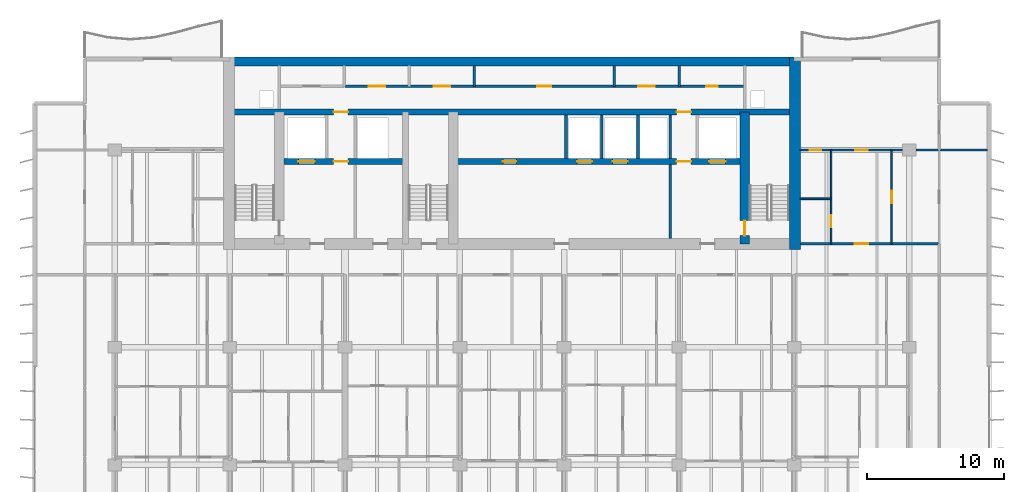
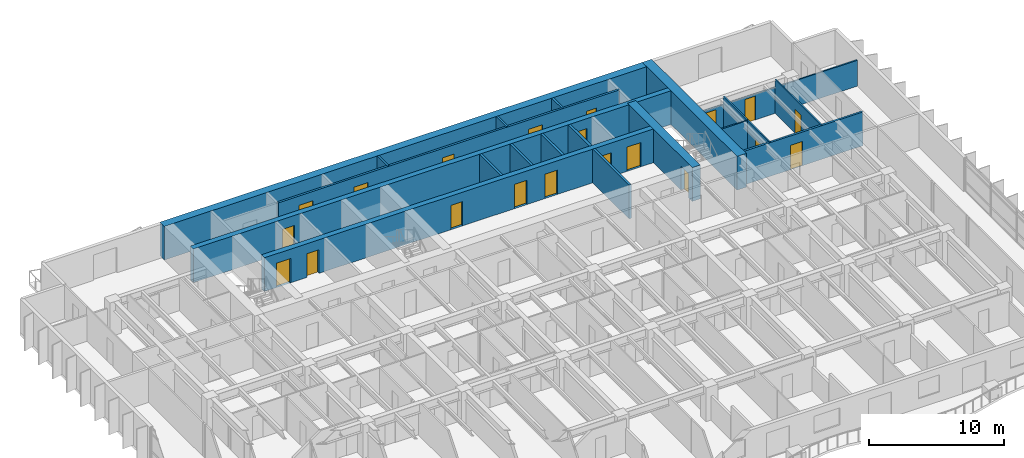
# One storey, part 12 of 18: 20 doors, 19 walls, 20 openings.
"""IFC4 building model written with IfcOpenShell, lengths in metres."""

from ifc_helpers import new_model, si_unit, direction, frame, frame_2d, origin, place, context, subcontext, project, spatial, rectangle, extrude, material, layer, layer_set, type_object, element, fill, save


model = new_model("IFC4")

# Units and contexts
model_context = context("Model", 3, precision=1e-05, world=origin(), true_north=direction((0.0, 1.0)))
body_context = subcontext(model_context, "Body", "Model", "MODEL_VIEW")
ifc_project = project(units=[si_unit("LENGTHUNIT", "METRE"), si_unit("AREAUNIT", "SQUARE_METRE"), si_unit("VOLUMEUNIT", "CUBIC_METRE"), si_unit("PLANEANGLEUNIT", "RADIAN"), si_unit("MASSUNIT", "GRAM", prefix="KILO")], contexts=[model_context])

# Site, building, storey
site_placement = place(None, origin())
site = spatial("IfcSite", under=ifc_project, at=site_placement, CompositionType="ELEMENT")
building_placement = place(site_placement, origin())
building = spatial("IfcBuilding", under=site, at=building_placement, Name="Caelmar Bay Residences", CompositionType="ELEMENT")
storey_placement = place(building_placement, frame((0.0, 0.0, 125.699951171875)))
storey = spatial("IfcBuildingStorey", under=building, at=storey_placement, Name="L34", CompositionType="ELEMENT", Elevation=125.699951171875)

# Wall, opening, door
ifc_material_1 = material(Name="Concrete f'c 55 MPa (8,000 psi)", Category="concrete")
ifc_layer_1 = layer(ifc_material_1, 0.699951171875)
ifc_layer_set_1 = layer_set([ifc_layer_1], Name="Concrete f'c 55 MPa (8,000 psi)")
wall_type_1 = type_object("IfcWallType", Name="SW-COR-700", PredefinedType="SHEAR", material=ifc_layer_set_1)
wall_1_placement = place(storey_placement, frame((55.89990234375, 36.949951171875, 0.0), z_axis=(0.0, 0.0, 1.0), x_axis=(0.0, 1.0, 0.0)))
wall_1 = element("IfcWall", 1, at=wall_1_placement, inside=storey, type_object=wall_type_1, Name="L34 Core Structural Web Wall ST2W", PredefinedType="SHEAR", context=body_context, shape_type="SweptSolid", body=[
    extrude(rectangle(XDim=9.625, YDim=0.699951171875, at=frame_2d((4.8125, 0.0))), origin(), (0.0, 0.0, 1.0), 3.050048828125),
])
opening_1_placement = place(wall_1_placement, frame((0.60009765625, 0.0, 0.0)))
opening_1 = element("IfcOpeningElement", 2, at=opening_1_placement, cuts=wall_1, Name="Opening D-L34-110", PredefinedType="OPENING", context=body_context, shape_type="SweptSolid", body=[
    extrude(rectangle(XDim=1.10009765625, YDim=2.14990234375, at=frame_2d((0.550048828125, 1.074951171875))), frame((0.0, 0.35986328125, 0.0), z_axis=(0.0, -1.0, 0.0), x_axis=(1.0, 0.0, 0.0)), (0.0, 0.0, 1.0), 0.719970703125),
])
ifc_material_2 = material(Name="Fire-rated steel and walnut architectural door assembly", Category="steel")
ifc_layer_2 = layer(ifc_material_2, 0.050048828125)
ifc_layer_set_2 = layer_set([ifc_layer_2], Name="Fire-rated steel and walnut architectural door assembly")
door_type_1 = type_object("IfcDoorType", Name="D-STAIR-1100", OperationType="NOTDEFINED", PredefinedType="DOOR", material=ifc_layer_set_2)
door_1_placement = place(opening_1_placement, origin())
door_1 = element("IfcDoor", 3, at=door_1_placement, inside=storey, type_object=door_type_1, Name="L34 Firefighting Lobby East Door", OperationType="SINGLE_SWING_LEFT", OverallHeight=2.14990234375, OverallWidth=1.10009765625, PredefinedType="DOOR", context=body_context, shape_type="SweptSolid", body=[
    extrude(rectangle(XDim=1.10009765625, YDim=2.14990234375, at=frame_2d((0.550048828125, 1.074951171875))), frame((0.0, 0.02490234375, 0.0), z_axis=(0.0, -1.0, 0.0), x_axis=(1.0, 0.0, 0.0)), (0.0, 0.0, 1.0), 0.050048828125),
])
fill(opening_1, door_1)

# Walls
ifc_material_3 = material(Name="Concrete f'c 70 MPa (10,000 psi)", Category="concrete")
ifc_layer_3 = layer(ifc_material_3, 0.800048828125)
ifc_layer_set_3 = layer_set([ifc_layer_3], Name="Concrete f'c 70 MPa (10,000 psi)")
wall_type_2 = type_object("IfcWallType", Name="SW-COR-800", PredefinedType="SHEAR", material=ifc_layer_set_3)
wall_2_placement = place(storey_placement, frame((59.550048828125, 36.550048828125, 0.0), z_axis=(0.0, 0.0, 1.0), x_axis=(0.0, 1.0, 0.0)))
element("IfcWall", 4, at=wall_2_placement, inside=storey, type_object=wall_type_2, Name="L34 Rear Core East Shear Wall", PredefinedType="SHEAR", context=body_context, shape_type="SweptSolid", body=[
    extrude(rectangle(XDim=14.050048828125, YDim=0.800048828125, at=frame_2d((7.02490234375, 0.0))), origin(), (0.0, 0.0, 1.0), 3.050048828125),
])
ifc_layer_4 = layer(ifc_material_1, 0.64990234375)
ifc_layer_set_4 = layer_set([ifc_layer_4], Name="Concrete f'c 55 MPa (8,000 psi)")
wall_type_3 = type_object("IfcWallType", Name="SW-CORN-650", PredefinedType="SHEAR", material=ifc_layer_set_4)
wall_3_placement = place(storey_placement, frame((17.85009765625, 50.27490234375, 0.0), z_axis=(0.0, 0.0, 1.0), x_axis=(1.0, 0.0, 0.0)))
element("IfcWall", 5, at=wall_3_placement, inside=storey, type_object=wall_type_3, Name="L34 Rear Core North Shear Wall", PredefinedType="SHEAR", context=body_context, shape_type="SweptSolid", body=[
    extrude(rectangle(XDim=42.099853515625, YDim=0.64990234375, at=frame_2d((21.0498046875, 0.0))), origin(), (0.0, 0.0, 1.0), 3.050048828125),
])

# Wall, openings, doors
ifc_layer_5 = layer(ifc_material_3, 0.449951171875)
ifc_layer_set_5 = layer_set([ifc_layer_5], Name="Concrete f'c 70 MPa (10,000 psi)")
wall_type_4 = type_object("IfcWallType", Name="SW-WEB-450", PredefinedType="SHEAR", material=ifc_layer_set_5)
wall_4_placement = place(storey_placement, frame((22.25, 42.949951171875, 0.0), z_axis=(0.0, 0.0, 1.0), x_axis=(1.0, 0.0, 0.0)))
wall_4 = element("IfcWall", 6, at=wall_4_placement, inside=storey, type_object=wall_type_4, Name="L34 Core Structural Web Wall LFR", PredefinedType="SHEAR", context=body_context, shape_type="SweptSolid", body=[
    extrude(rectangle(XDim=33.300048828125, YDim=0.449951171875, at=frame_2d((16.64990234375, 0.0))), origin(), (0.0, 0.0, 1.0), 3.050048828125),
])
opening_2_placement = place(wall_4_placement, frame((1.050048828125, 0.0, 0.0)))
opening_2 = element("IfcOpeningElement", 7, at=opening_2_placement, cuts=wall_4, Name="Opening LD2", PredefinedType="OPENING", context=body_context, shape_type="SweptSolid", body=[
    extrude(rectangle(XDim=1.199951171875, YDim=2.199951171875, at=frame_2d((0.60009765625, 1.10009765625))), frame((0.0, 0.23486328125, 0.0), z_axis=(0.0, -1.0, 0.0), x_axis=(1.0, 0.0, 0.0)), (0.0, 0.0, 1.0), 0.469970703125),
])
opening_3_placement = place(wall_4_placement, frame((31.050048828125, 0.0, 0.0)))
opening_3 = element("IfcOpeningElement", 8, at=opening_3_placement, cuts=wall_4, Name="Opening LD2", PredefinedType="OPENING", context=body_context, shape_type="SweptSolid", body=[
    extrude(rectangle(XDim=1.199951171875, YDim=2.199951171875, at=frame_2d((0.60009765625, 1.10009765625))), frame((0.0, 0.23486328125, 0.0), z_axis=(0.0, -1.0, 0.0), x_axis=(1.0, 0.0, 0.0)), (0.0, 0.0, 1.0), 0.469970703125),
])
opening_4_placement = place(wall_4_placement, frame((21.39990234375, 0.0, 0.0)))
opening_4 = element("IfcOpeningElement", 9, at=opening_4_placement, cuts=wall_4, Name="Opening LD1", PredefinedType="OPENING", context=body_context, shape_type="SweptSolid", body=[
    extrude(rectangle(XDim=1.10009765625, YDim=2.199951171875, at=frame_2d((0.550048828125, 1.10009765625))), frame((0.0, 0.23486328125, 0.0), z_axis=(0.0, -1.0, 0.0), x_axis=(1.0, 0.0, 0.0)), (0.0, 0.0, 1.0), 0.469970703125),
])
opening_5_placement = place(wall_4_placement, frame((24.0, 0.0, 0.0)))
opening_5 = element("IfcOpeningElement", 10, at=opening_5_placement, cuts=wall_4, Name="Opening LD1", PredefinedType="OPENING", context=body_context, shape_type="SweptSolid", body=[
    extrude(rectangle(XDim=1.10009765625, YDim=2.199951171875, at=frame_2d((0.550048828125, 1.10009765625))), frame((0.0, 0.23486328125, 0.0), z_axis=(0.0, -1.0, 0.0), x_axis=(1.0, 0.0, 0.0)), (0.0, 0.0, 1.0), 0.469970703125),
])
opening_6_placement = place(wall_4_placement, frame((3.625, 0.0, 0.0)))
opening_6 = element("IfcOpeningElement", 11, at=opening_6_placement, cuts=wall_4, Name="Opening D-L34-108", PredefinedType="OPENING", context=body_context, shape_type="SweptSolid", body=[
    extrude(rectangle(XDim=1.050048828125, YDim=2.14990234375, at=frame_2d((0.52490234375, 1.074951171875))), frame((0.0, 0.23486328125, 0.0), z_axis=(0.0, -1.0, 0.0), x_axis=(1.0, 0.0, 0.0)), (0.0, 0.0, 1.0), 0.469970703125),
])
opening_7_placement = place(wall_4_placement, frame((28.675048828125, 0.0, 0.0)))
opening_7 = element("IfcOpeningElement", 12, at=opening_7_placement, cuts=wall_4, Name="Opening D-L34-111", PredefinedType="OPENING", context=body_context, shape_type="SweptSolid", body=[
    extrude(rectangle(XDim=1.050048828125, YDim=2.14990234375, at=frame_2d((0.52490234375, 1.074951171875))), frame((0.0, 0.23486328125, 0.0), z_axis=(0.0, -1.0, 0.0), x_axis=(1.0, 0.0, 0.0)), (0.0, 0.0, 1.0), 0.469970703125),
])
opening_8_placement = place(wall_4_placement, frame((15.97509765625, 0.0, 0.0)))
opening_8 = element("IfcOpeningElement", 13, at=opening_8_placement, cuts=wall_4, Name="Opening D-L34-114", PredefinedType="OPENING", context=body_context, shape_type="SweptSolid", body=[
    extrude(rectangle(XDim=1.0, YDim=2.199951171875, at=frame_2d((0.5, 1.10009765625))), frame((0.0, 0.23486328125, 0.0), z_axis=(0.0, -1.0, 0.0), x_axis=(1.0, 0.0, 0.0)), (0.0, 0.0, 1.0), 0.469970703125),
])
ifc_layer_6 = layer(ifc_material_2, 0.050048828125)
ifc_layer_set_6 = layer_set([ifc_layer_6], Name="Fire-rated steel and walnut architectural door assembly")
door_type_2 = type_object("IfcDoorType", Name="D-FSAE-1050", OperationType="NOTDEFINED", PredefinedType="DOOR", material=ifc_layer_set_6)
door_2_placement = place(opening_6_placement, origin())
door_2 = element("IfcDoor", 14, at=door_2_placement, inside=storey, type_object=door_type_2, Name="L34 Firefighting Lobby West Door", OperationType="SINGLE_SWING_LEFT", OverallHeight=2.14990234375, OverallWidth=1.050048828125, PredefinedType="DOOR", context=body_context, shape_type="SweptSolid", body=[
    extrude(rectangle(XDim=1.050048828125, YDim=2.14990234375, at=frame_2d((0.52490234375, 1.074951171875))), frame((0.0, 0.02490234375, 0.0), z_axis=(0.0, -1.0, 0.0), x_axis=(1.0, 0.0, 0.0)), (0.0, 0.0, 1.0), 0.050048828125),
])
fill(opening_6, door_2)
door_3_placement = place(opening_7_placement, origin())
door_3 = element("IfcDoor", 15, at=door_3_placement, inside=storey, type_object=door_type_2, Name="L34 Firefighting Lobby East Door", OperationType="SINGLE_SWING_RIGHT", OverallHeight=2.14990234375, OverallWidth=1.050048828125, PredefinedType="DOOR", context=body_context, shape_type="SweptSolid", body=[
    extrude(rectangle(XDim=1.050048828125, YDim=2.14990234375, at=frame_2d((0.52490234375, 1.074951171875))), frame((0.0, 0.02490234375, 0.0), z_axis=(0.0, -1.0, 0.0), x_axis=(1.0, 0.0, 0.0)), (0.0, 0.0, 1.0), 0.050048828125),
])
fill(opening_7, door_3)
ifc_material_4 = material(Name="Brushed bronze stainless-steel fire-rated lift landing doors", Category="steel")
ifc_layer_7 = layer(ifc_material_4, 0.050048828125)
ifc_layer_set_7 = layer_set([ifc_layer_7], Name="Brushed bronze stainless-steel fire-rated lift landing doors")
door_type_3 = type_object("IfcDoorType", Name="D-LND-1100", OperationType="DOUBLE_DOOR_SLIDING", PredefinedType="DOOR", material=ifc_layer_set_7)
door_4_placement = place(opening_4_placement, origin())
door_4 = element("IfcDoor", 16, at=door_4_placement, inside=storey, type_object=door_type_3, Name="L34 LP4 Sliding Landing Door", OperationType="DOUBLE_DOOR_SLIDING", OverallHeight=2.199951171875, OverallWidth=1.10009765625, PredefinedType="DOOR", context=body_context, shape_type="SweptSolid", body=[
    extrude(rectangle(XDim=1.10009765625, YDim=2.199951171875, at=frame_2d((0.550048828125, 1.10009765625))), frame((0.0, 0.02490234375, 0.0), z_axis=(0.0, -1.0, 0.0), x_axis=(1.0, 0.0, 0.0)), (0.0, 0.0, 1.0), 0.050048828125),
])
fill(opening_4, door_4)
door_5_placement = place(opening_5_placement, origin())
door_5 = element("IfcDoor", 17, at=door_5_placement, inside=storey, type_object=door_type_3, Name="L34 LP5 Sliding Landing Door", OperationType="DOUBLE_DOOR_SLIDING", OverallHeight=2.199951171875, OverallWidth=1.10009765625, PredefinedType="DOOR", context=body_context, shape_type="SweptSolid", body=[
    extrude(rectangle(XDim=1.10009765625, YDim=2.199951171875, at=frame_2d((0.550048828125, 1.10009765625))), frame((0.0, 0.02490234375, 0.0), z_axis=(0.0, -1.0, 0.0), x_axis=(1.0, 0.0, 0.0)), (0.0, 0.0, 1.0), 0.050048828125),
])
fill(opening_5, door_5)
ifc_material_5 = material(Name="Brushed stainless-steel FSAE sliding landing door", Category="steel")
ifc_layer_8 = layer(ifc_material_5, 0.050048828125)
ifc_layer_set_8 = layer_set([ifc_layer_8], Name="Brushed stainless-steel FSAE sliding landing door")
door_type_4 = type_object("IfcDoorType", Name="D-LND-1200", OperationType="DOUBLE_DOOR_SLIDING", PredefinedType="DOOR", material=ifc_layer_set_8)
door_6_placement = place(opening_2_placement, origin())
door_6 = element("IfcDoor", 18, at=door_6_placement, inside=storey, type_object=door_type_4, Name="L34 LF1 Sliding Landing Door", OperationType="DOUBLE_DOOR_SLIDING", OverallHeight=2.199951171875, OverallWidth=1.199951171875, PredefinedType="DOOR", context=body_context, shape_type="SweptSolid", body=[
    extrude(rectangle(XDim=1.199951171875, YDim=2.199951171875, at=frame_2d((0.60009765625, 1.10009765625))), frame((0.0, 0.02490234375, 0.0), z_axis=(0.0, -1.0, 0.0), x_axis=(1.0, 0.0, 0.0)), (0.0, 0.0, 1.0), 0.050048828125),
])
fill(opening_2, door_6)
door_7_placement = place(opening_3_placement, origin())
door_7 = element("IfcDoor", 19, at=door_7_placement, inside=storey, type_object=door_type_4, Name="L34 LF2 Sliding Landing Door", OperationType="DOUBLE_DOOR_SLIDING", OverallHeight=2.199951171875, OverallWidth=1.199951171875, PredefinedType="DOOR", context=body_context, shape_type="SweptSolid", body=[
    extrude(rectangle(XDim=1.199951171875, YDim=2.199951171875, at=frame_2d((0.60009765625, 1.10009765625))), frame((0.0, 0.02490234375, 0.0), z_axis=(0.0, -1.0, 0.0), x_axis=(1.0, 0.0, 0.0)), (0.0, 0.0, 1.0), 0.050048828125),
])
fill(opening_3, door_7)
ifc_layer_9 = layer(ifc_material_2, 0.050048828125)
ifc_layer_set_9 = layer_set([ifc_layer_9], Name="Fire-rated steel and walnut architectural door assembly")
door_type_5 = type_object("IfcDoorType", Name="D-UNIT-1000", OperationType="NOTDEFINED", PredefinedType="DOOR", material=ifc_layer_set_9)
door_8_placement = place(opening_8_placement, origin())
door_8 = element("IfcDoor", 20, at=door_8_placement, inside=storey, type_object=door_type_5, Name="L34 Quiet Reading Study Door", OperationType="SINGLE_SWING_LEFT", OverallHeight=2.199951171875, OverallWidth=1.0, PredefinedType="DOOR", context=body_context, shape_type="SweptSolid", body=[
    extrude(rectangle(XDim=1.0, YDim=2.199951171875, at=frame_2d((0.5, 1.10009765625))), frame((0.0, 0.02490234375, 0.0), z_axis=(0.0, -1.0, 0.0), x_axis=(1.0, 0.0, 0.0)), (0.0, 0.0, 1.0), 0.050048828125),
])
fill(opening_8, door_8)

wall_5_placement = place(storey_placement, frame((18.25, 46.574951171875, 0.0), z_axis=(0.0, 0.0, 1.0), x_axis=(1.0, 0.0, 0.0)))
wall_5 = element("IfcWall", 21, at=wall_5_placement, inside=storey, type_object=wall_type_4, Name="L34 Core Structural Web Wall SRVS", PredefinedType="SHEAR", context=body_context, shape_type="SweptSolid", body=[
    extrude(rectangle(XDim=41.300048828125, YDim=0.449951171875, at=frame_2d((20.64990234375, 0.0))), origin(), (0.0, 0.0, 1.0), 3.050048828125),
])
opening_9_placement = place(wall_5_placement, frame((7.625, 0.0, 0.0)))
opening_9 = element("IfcOpeningElement", 22, at=opening_9_placement, cuts=wall_5, Name="Opening D-L34-115", PredefinedType="OPENING", context=body_context, shape_type="SweptSolid", body=[
    extrude(rectangle(XDim=1.050048828125, YDim=2.14990234375, at=frame_2d((0.52490234375, 1.074951171875))), frame((0.0, 0.23486328125, 0.0), z_axis=(0.0, -1.0, 0.0), x_axis=(1.0, 0.0, 0.0)), (0.0, 0.0, 1.0), 0.469970703125),
])
opening_10_placement = place(wall_5_placement, frame((32.675048828125, 0.0, 0.0)))
opening_10 = element("IfcOpeningElement", 23, at=opening_10_placement, cuts=wall_5, Name="Opening D-L34-116", PredefinedType="OPENING", context=body_context, shape_type="SweptSolid", body=[
    extrude(rectangle(XDim=1.050048828125, YDim=2.14990234375, at=frame_2d((0.52490234375, 1.074951171875))), frame((0.0, 0.23486328125, 0.0), z_axis=(0.0, -1.0, 0.0), x_axis=(1.0, 0.0, 0.0)), (0.0, 0.0, 1.0), 0.469970703125),
])
door_9_placement = place(opening_9_placement, origin())
door_9 = element("IfcDoor", 24, at=door_9_placement, inside=storey, type_object=door_type_2, Name="L34 Core Service Corridor Door", OperationType="SINGLE_SWING_RIGHT", OverallHeight=2.14990234375, OverallWidth=1.050048828125, PredefinedType="DOOR", context=body_context, shape_type="SweptSolid", body=[
    extrude(rectangle(XDim=1.050048828125, YDim=2.14990234375, at=frame_2d((0.52490234375, 1.074951171875))), frame((0.0, 0.02490234375, 0.0), z_axis=(0.0, -1.0, 0.0), x_axis=(1.0, 0.0, 0.0)), (0.0, 0.0, 1.0), 0.050048828125),
])
fill(opening_9, door_9)
door_10_placement = place(opening_10_placement, origin())
door_10 = element("IfcDoor", 25, at=door_10_placement, inside=storey, type_object=door_type_2, Name="L34 Core Service Corridor Door", OperationType="SINGLE_SWING_LEFT", OverallHeight=2.14990234375, OverallWidth=1.050048828125, PredefinedType="DOOR", context=body_context, shape_type="SweptSolid", body=[
    extrude(rectangle(XDim=1.050048828125, YDim=2.14990234375, at=frame_2d((0.52490234375, 1.074951171875))), frame((0.0, 0.02490234375, 0.0), z_axis=(0.0, -1.0, 0.0), x_axis=(1.0, 0.0, 0.0)), (0.0, 0.0, 1.0), 0.050048828125),
])
fill(opening_10, door_10)

# Walls
ifc_material_6 = material(Name="Double-stud acoustic fire-rated gypsum partition 180 mm")
ifc_layer_10 = layer(ifc_material_6, 0.179931640625)
ifc_layer_set_10 = layer_set([ifc_layer_10], Name="Double-stud acoustic fire-rated gypsum partition 180 mm")
wall_type_5 = type_object("IfcWallType", Name="W-COR-200", PredefinedType="PARTITIONING", material=ifc_layer_set_10)
for number, where, z_axis, x_axis, name in (
    (26, (36.14990234375, 48.449951171875, 0.0), (0.0, 0.0, 1.0), (0.0, 1.0, 0.0), "L34 Partition Wall V056"),
    (27, (46.35009765625, 48.449951171875, 0.0), (0.0, 0.0, 1.0), (0.0, 1.0, 0.0), "L34 Partition Wall V071"),
    (28, (51.10009765625, 48.449951171875, 0.0), (0.0, 0.0, 1.0), (0.0, 1.0, 0.0), "L34 Partition Wall V084"),
):
    element("IfcWall", number, at=place(storey_placement, frame(where, z_axis=z_axis, x_axis=x_axis)), inside=storey, type_object=wall_type_5, Name=name, PredefinedType="PARTITIONING", context=body_context, shape_type="SweptSolid", body=[
        extrude(rectangle(XDim=1.505126953125, YDim=0.179931640625, at=frame_2d((0.75244140625, 0.0))), origin(), (0.0, 0.0, 1.0), 3.050048828125),
    ])

# Wall, opening, door
wall_6_placement = place(storey_placement, frame((59.955078125, 36.949951171875, 0.0), z_axis=(0.0, 0.0, 1.0), x_axis=(1.0, 0.0, 0.0)))
wall_6 = element("IfcWall", 29, at=wall_6_placement, inside=storey, type_object=wall_type_5, Name="L34 Partition Wall H148", PredefinedType="PARTITIONING", context=body_context, shape_type="SweptSolid", body=[
    extrude(rectangle(XDim=10.14501953125, YDim=0.179931640625, at=frame_2d((5.072509765625, 0.0))), origin(), (0.0, 0.0, 1.0), 3.050048828125),
])
opening_11_placement = place(wall_6_placement, frame((3.95703125, 0.0, 0.0)))
opening_11 = element("IfcOpeningElement", 30, at=opening_11_placement, cuts=wall_6, Name="Opening D-L34-183", PredefinedType="OPENING", context=body_context, shape_type="SweptSolid", body=[
    extrude(rectangle(XDim=1.0, YDim=2.199951171875, at=frame_2d((0.5, 1.10009765625))), frame((0.0, 0.099853515625, 0.0), z_axis=(0.0, -1.0, 0.0), x_axis=(1.0, 0.0, 0.0)), (0.0, 0.0, 1.0), 0.199951171875),
])
door_11_placement = place(opening_11_placement, origin())
door_11 = element("IfcDoor", 31, at=door_11_placement, inside=storey, type_object=door_type_5, Name="L34 Residence EA Kitchen Door", OperationType="SINGLE_SWING_RIGHT", OverallHeight=2.199951171875, OverallWidth=1.0, PredefinedType="DOOR", context=body_context, shape_type="SweptSolid", body=[
    extrude(rectangle(XDim=1.0, YDim=2.199951171875, at=frame_2d((0.5, 1.10009765625))), frame((0.0, 0.02490234375, 0.0), z_axis=(0.0, -1.0, 0.0), x_axis=(1.0, 0.0, 0.0)), (0.0, 0.0, 1.0), 0.050048828125),
])
fill(opening_11, door_11)

# Wall, openings, doors
wall_7_placement = place(storey_placement, frame((26.699951171875, 48.449951171875, 0.0), z_axis=(0.0, 0.0, 1.0), x_axis=(1.0, 0.0, 0.0)))
wall_7 = element("IfcWall", 32, at=wall_7_placement, inside=storey, type_object=wall_type_5, Name="L34 Partition Wall H154", PredefinedType="PARTITIONING", context=body_context, shape_type="SweptSolid", body=[
    extrude(rectangle(XDim=29.199951171875, YDim=0.179931640625, at=frame_2d((14.60009765625, 0.0))), origin(), (0.0, 0.0, 1.0), 3.050048828125),
])
opening_12_placement = place(wall_7_placement, frame((1.75, 0.0, 0.0)))
opening_12 = element("IfcOpeningElement", 33, at=opening_12_placement, cuts=wall_7, Name="Opening D-L34-118", PredefinedType="OPENING", context=body_context, shape_type="SweptSolid", body=[
    extrude(rectangle(XDim=1.199951171875, YDim=2.199951171875, at=frame_2d((0.60009765625, 1.10009765625))), frame((0.0, 0.099853515625, 0.0), z_axis=(0.0, -1.0, 0.0), x_axis=(1.0, 0.0, 0.0)), (0.0, 0.0, 1.0), 0.199951171875),
])
opening_13_placement = place(wall_7_placement, frame((6.47509765625, 0.0, 0.0)))
opening_13 = element("IfcOpeningElement", 34, at=opening_13_placement, cuts=wall_7, Name="Opening D-L34-119", PredefinedType="OPENING", context=body_context, shape_type="SweptSolid", body=[
    extrude(rectangle(XDim=1.199951171875, YDim=2.199951171875, at=frame_2d((0.60009765625, 1.10009765625))), frame((0.0, 0.099853515625, 0.0), z_axis=(0.0, -1.0, 0.0), x_axis=(1.0, 0.0, 0.0)), (0.0, 0.0, 1.0), 0.199951171875),
])
opening_14_placement = place(wall_7_placement, frame((14.050048828125, 0.0, 0.0)))
opening_14 = element("IfcOpeningElement", 35, at=opening_14_placement, cuts=wall_7, Name="Opening D-L34-120", PredefinedType="OPENING", context=body_context, shape_type="SweptSolid", body=[
    extrude(rectangle(XDim=1.0, YDim=2.199951171875, at=frame_2d((0.5, 1.10009765625))), frame((0.0, 0.099853515625, 0.0), z_axis=(0.0, -1.0, 0.0), x_axis=(1.0, 0.0, 0.0)), (0.0, 0.0, 1.0), 0.199951171875),
])
opening_15_placement = place(wall_7_placement, frame((21.425048828125, 0.0, 0.0)))
opening_15 = element("IfcOpeningElement", 36, at=opening_15_placement, cuts=wall_7, Name="Opening D-L34-121", PredefinedType="OPENING", context=body_context, shape_type="SweptSolid", body=[
    extrude(rectangle(XDim=1.199951171875, YDim=2.199951171875, at=frame_2d((0.60009765625, 1.10009765625))), frame((0.0, 0.099853515625, 0.0), z_axis=(0.0, -1.0, 0.0), x_axis=(1.0, 0.0, 0.0)), (0.0, 0.0, 1.0), 0.199951171875),
])
opening_16_placement = place(wall_7_placement, frame((26.375, 0.0, 0.0)))
opening_16 = element("IfcOpeningElement", 37, at=opening_16_placement, cuts=wall_7, Name="Opening D-L34-122", PredefinedType="OPENING", context=body_context, shape_type="SweptSolid", body=[
    extrude(rectangle(XDim=0.85009765625, YDim=2.10009765625, at=frame_2d((0.425048828125, 1.050048828125))), frame((0.0, 0.099853515625, 0.0), z_axis=(0.0, -1.0, 0.0), x_axis=(1.0, 0.0, 0.0)), (0.0, 0.0, 1.0), 0.199951171875),
])
ifc_layer_11 = layer(ifc_material_2, 0.050048828125)
ifc_layer_set_11 = layer_set([ifc_layer_11], Name="Fire-rated steel and walnut architectural door assembly")
door_type_6 = type_object("IfcDoorType", Name="D-CORE-850", OperationType="NOTDEFINED", PredefinedType="DOOR", material=ifc_layer_set_11)
door_12_placement = place(opening_16_placement, origin())
door_12 = element("IfcDoor", 38, at=door_12_placement, inside=storey, type_object=door_type_6, Name="L34 Staff Restroom Door", OperationType="SINGLE_SWING_LEFT", OverallHeight=2.10009765625, OverallWidth=0.85009765625, PredefinedType="DOOR", context=body_context, shape_type="SweptSolid", body=[
    extrude(rectangle(XDim=0.85009765625, YDim=2.10009765625, at=frame_2d((0.425048828125, 1.050048828125))), frame((0.0, 0.02490234375, 0.0), z_axis=(0.0, -1.0, 0.0), x_axis=(1.0, 0.0, 0.0)), (0.0, 0.0, 1.0), 0.050048828125),
])
fill(opening_16, door_12)
ifc_layer_12 = layer(ifc_material_2, 0.050048828125)
ifc_layer_set_12 = layer_set([ifc_layer_12], Name="Fire-rated steel and walnut architectural door assembly")
door_type_7 = type_object("IfcDoorType", Name="D-PLANT-1200", OperationType="NOTDEFINED", PredefinedType="DOOR", material=ifc_layer_set_12)
door_13_placement = place(opening_12_placement, origin())
door_13 = element("IfcDoor", 39, at=door_13_placement, inside=storey, type_object=door_type_7, Name="L34 Water Meter Closet Door", OperationType="SINGLE_SWING_LEFT", OverallHeight=2.199951171875, OverallWidth=1.199951171875, PredefinedType="DOOR", context=body_context, shape_type="SweptSolid", body=[
    extrude(rectangle(XDim=1.199951171875, YDim=2.199951171875, at=frame_2d((0.60009765625, 1.10009765625))), frame((0.0, 0.02490234375, 0.0), z_axis=(0.0, -1.0, 0.0), x_axis=(1.0, 0.0, 0.0)), (0.0, 0.0, 1.0), 0.050048828125),
])
fill(opening_12, door_13)
door_14_placement = place(opening_13_placement, origin())
door_14 = element("IfcDoor", 40, at=door_14_placement, inside=storey, type_object=door_type_7, Name="L34 Low-Voltage Data Closet Door", OperationType="SINGLE_SWING_RIGHT", OverallHeight=2.199951171875, OverallWidth=1.199951171875, PredefinedType="DOOR", context=body_context, shape_type="SweptSolid", body=[
    extrude(rectangle(XDim=1.199951171875, YDim=2.199951171875, at=frame_2d((0.60009765625, 1.10009765625))), frame((0.0, 0.02490234375, 0.0), z_axis=(0.0, -1.0, 0.0), x_axis=(1.0, 0.0, 0.0)), (0.0, 0.0, 1.0), 0.050048828125),
])
fill(opening_13, door_14)
door_15_placement = place(opening_15_placement, origin())
door_15 = element("IfcDoor", 41, at=door_15_placement, inside=storey, type_object=door_type_7, Name="L34 Valet Trunk Closet Door", OperationType="SINGLE_SWING_RIGHT", OverallHeight=2.199951171875, OverallWidth=1.199951171875, PredefinedType="DOOR", context=body_context, shape_type="SweptSolid", body=[
    extrude(rectangle(XDim=1.199951171875, YDim=2.199951171875, at=frame_2d((0.60009765625, 1.10009765625))), frame((0.0, 0.02490234375, 0.0), z_axis=(0.0, -1.0, 0.0), x_axis=(1.0, 0.0, 0.0)), (0.0, 0.0, 1.0), 0.050048828125),
])
fill(opening_15, door_15)
door_16_placement = place(opening_14_placement, origin())
door_16 = element("IfcDoor", 42, at=door_16_placement, inside=storey, type_object=door_type_5, Name="L34 Mail Sorting Office Door", OperationType="SINGLE_SWING_LEFT", OverallHeight=2.199951171875, OverallWidth=1.0, PredefinedType="DOOR", context=body_context, shape_type="SweptSolid", body=[
    extrude(rectangle(XDim=1.0, YDim=2.199951171875, at=frame_2d((0.5, 1.10009765625))), frame((0.0, 0.02490234375, 0.0), z_axis=(0.0, -1.0, 0.0), x_axis=(1.0, 0.0, 0.0)), (0.0, 0.0, 1.0), 0.050048828125),
])
fill(opening_14, door_16)

# Walls
ifc_material_7 = material(Name="Fire-rated masonry and gypsum shaftliner assembly 200 mm", Category="masonry")
ifc_layer_13 = layer(ifc_material_7, 0.199951171875)
ifc_layer_set_13 = layer_set([ifc_layer_13], Name="Fire-rated masonry and gypsum shaftliner assembly 200 mm")
wall_type_6 = type_object("IfcWallType", Name="W-FSAE-200", PredefinedType="PARTITIONING", material=ifc_layer_set_13)
for number, where, z_axis, x_axis, name in (
    (43, (42.85009765625, 43.169921875, 0.0), (0.0, 0.0, 1.0), (0.0, 1.0, 0.0), "L34 Partition Wall V069"),
    (44, (45.449951171875, 43.169921875, 0.0), (0.0, 0.0, 1.0), (0.0, 1.0, 0.0), "L34 Partition Wall V070"),
    (45, (48.10009765625, 43.169921875, 0.0), (0.0, 0.0, 1.0), (0.0, 1.0, 0.0), "L34 Partition Wall V077"),
):
    element("IfcWall", number, at=place(storey_placement, frame(where, z_axis=z_axis, x_axis=x_axis)), inside=storey, type_object=wall_type_6, Name=name, PredefinedType="PARTITIONING", context=body_context, shape_type="SweptSolid", body=[
        extrude(rectangle(XDim=3.18505859375, YDim=0.199951171875, at=frame_2d((1.592529296875, 0.0))), origin(), (0.0, 0.0, 1.0), 3.050048828125),
    ])
wall_8_placement = place(storey_placement, frame((50.449951171875, 37.344970703125, 0.0), z_axis=(0.0, 0.0, 1.0), x_axis=(0.0, 1.0, 0.0)))
element("IfcWall", 46, at=wall_8_placement, inside=storey, type_object=wall_type_6, Name="L34 Partition Wall V079", PredefinedType="PARTITIONING", context=body_context, shape_type="SweptSolid", body=[
    extrude(rectangle(XDim=5.385009765625, YDim=0.199951171875, at=frame_2d((2.6923828125, 0.0))), origin(), (0.0, 0.0, 1.0), 3.050048828125),
])
wall_9_placement = place(storey_placement, frame((50.449951171875, 43.169921875, 0.0), z_axis=(0.0, 0.0, 1.0), x_axis=(0.0, 1.0, 0.0)))
element("IfcWall", 47, at=wall_9_placement, inside=storey, type_object=wall_type_6, Name="L34 Partition Wall V080", PredefinedType="PARTITIONING", context=body_context, shape_type="SweptSolid", body=[
    extrude(rectangle(XDim=3.18505859375, YDim=0.199951171875, at=frame_2d((1.592529296875, 0.0))), origin(), (0.0, 0.0, 1.0), 3.050048828125),
])

# Wall, opening, door
ifc_material_8 = material(Name="Acoustic metal-stud gypsum partition 120 mm")
ifc_layer_14 = layer(ifc_material_8, 0.1201171875)
ifc_layer_set_14 = layer_set([ifc_layer_14], Name="Acoustic metal-stud gypsum partition 120 mm")
wall_type_7 = type_object("IfcWallType", Name="W-PRT-120", PredefinedType="PARTITIONING", material=ifc_layer_set_14)
wall_10_placement = place(storey_placement, frame((62.199951171875, 36.949951171875, 0.0), z_axis=(0.0, 0.0, 1.0), x_axis=(0.0, 1.0, 0.0)))
wall_10 = element("IfcWall", 48, at=wall_10_placement, inside=storey, type_object=wall_type_7, Name="L34 Partition Wall V099", PredefinedType="PARTITIONING", context=body_context, shape_type="SweptSolid", body=[
    extrude(rectangle(XDim=6.85009765625, YDim=0.1201171875, at=frame_2d((3.425048828125, 0.0))), origin(), (0.0, 0.0, 1.0), 3.050048828125),
])
opening_17_placement = place(wall_10_placement, frame((1.218994140625, 0.0, 0.0)))
opening_17 = element("IfcOpeningElement", 49, at=opening_17_placement, cuts=wall_10, Name="Opening D-L34-185", PredefinedType="OPENING", context=body_context, shape_type="SweptSolid", body=[
    extrude(rectangle(XDim=0.85009765625, YDim=2.10009765625, at=frame_2d((0.425048828125, 1.050048828125))), frame((0.0, 0.070068359375, 0.0), z_axis=(0.0, -1.0, 0.0), x_axis=(1.0, 0.0, 0.0)), (0.0, 0.0, 1.0), 0.14013671875),
])
ifc_material_9 = material(Name="Solid walnut timber interior door leaf and frame", Category="wood")
ifc_layer_15 = layer(ifc_material_9, 0.050048828125)
ifc_layer_set_15 = layer_set([ifc_layer_15], Name="Solid walnut timber interior door leaf and frame")
door_type_8 = type_object("IfcDoorType", Name="D-BATH-850", OperationType="NOTDEFINED", PredefinedType="DOOR", material=ifc_layer_set_15)
door_17_placement = place(opening_17_placement, origin())
door_17 = element("IfcDoor", 50, at=door_17_placement, inside=storey, type_object=door_type_8, Name="L34 Residence EA Walk-In Closet Door", OperationType="SINGLE_SWING_RIGHT", OverallHeight=2.10009765625, OverallWidth=0.85009765625, PredefinedType="DOOR", context=body_context, shape_type="SweptSolid", body=[
    extrude(rectangle(XDim=0.85009765625, YDim=2.10009765625, at=frame_2d((0.425048828125, 1.050048828125))), frame((0.0, 0.02490234375, 0.0), z_axis=(0.0, -1.0, 0.0), x_axis=(1.0, 0.0, 0.0)), (0.0, 0.0, 1.0), 0.050048828125),
])
fill(opening_17, door_17)

wall_11_placement = place(storey_placement, frame((66.6240234375, 36.949951171875, 0.0), z_axis=(0.0, 0.0, 1.0), x_axis=(0.0, 1.0, 0.0)))
wall_11 = element("IfcWall", 51, at=wall_11_placement, inside=storey, type_object=wall_type_7, Name="L34 Partition Wall V106", PredefinedType="PARTITIONING", context=body_context, shape_type="SweptSolid", body=[
    extrude(rectangle(XDim=6.85009765625, YDim=0.1201171875, at=frame_2d((3.425048828125, 0.0))), origin(), (0.0, 0.0, 1.0), 3.050048828125),
])
opening_18_placement = place(wall_11_placement, frame((2.97509765625, 0.0, 0.0)))
opening_18 = element("IfcOpeningElement", 52, at=opening_18_placement, cuts=wall_11, Name="Opening D-L34-182", PredefinedType="OPENING", context=body_context, shape_type="SweptSolid", body=[
    extrude(rectangle(XDim=0.89990234375, YDim=2.14990234375, at=frame_2d((0.449951171875, 1.074951171875))), frame((0.0, 0.070068359375, 0.0), z_axis=(0.0, -1.0, 0.0), x_axis=(1.0, 0.0, 0.0)), (0.0, 0.0, 1.0), 0.14013671875),
])
ifc_layer_16 = layer(ifc_material_9, 0.050048828125)
ifc_layer_set_16 = layer_set([ifc_layer_16], Name="Solid walnut timber interior door leaf and frame")
door_type_9 = type_object("IfcDoorType", Name="D-ROOM-900", OperationType="NOTDEFINED", PredefinedType="DOOR", material=ifc_layer_set_16)
door_18_placement = place(opening_18_placement, origin())
door_18 = element("IfcDoor", 53, at=door_18_placement, inside=storey, type_object=door_type_9, Name="L34 Residence EA Dining Room Door", OperationType="SINGLE_SWING_LEFT", OverallHeight=2.14990234375, OverallWidth=0.89990234375, PredefinedType="DOOR", context=body_context, shape_type="SweptSolid", body=[
    extrude(rectangle(XDim=0.89990234375, YDim=2.14990234375, at=frame_2d((0.449951171875, 1.074951171875))), frame((0.0, 0.02490234375, 0.0), z_axis=(0.0, -1.0, 0.0), x_axis=(1.0, 0.0, 0.0)), (0.0, 0.0, 1.0), 0.050048828125),
])
fill(opening_18, door_18)

# Wall
wall_12_placement = place(storey_placement, frame((59.945068359375, 40.238037109375, 0.0), z_axis=(0.0, 0.0, 1.0), x_axis=(1.0, 0.0, 0.0)))
element("IfcWall", 54, at=wall_12_placement, inside=storey, type_object=wall_type_7, Name="L34 Partition Wall H150", PredefinedType="PARTITIONING", context=body_context, shape_type="SweptSolid", body=[
    extrude(rectangle(XDim=2.2548828125, YDim=0.1201171875, at=frame_2d((1.12744140625, 0.0))), origin(), (0.0, 0.0, 1.0), 3.050048828125),
])

# Wall, openings, doors
wall_13_placement = place(storey_placement, frame((59.945068359375, 43.800048828125, 0.0), z_axis=(0.0, 0.0, 1.0), x_axis=(1.0, 0.0, 0.0)))
wall_13 = element("IfcWall", 55, at=wall_13_placement, inside=storey, type_object=wall_type_7, Name="L34 Partition Wall H152", PredefinedType="PARTITIONING", context=body_context, shape_type="SweptSolid", body=[
    extrude(rectangle(XDim=13.659912109375, YDim=0.1201171875, at=frame_2d((6.830078125, 0.0))), origin(), (0.0, 0.0, 1.0), 2.339111328125),
])
opening_19_placement = place(wall_13_placement, frame((4.01708984375, 0.0, 0.0)))
opening_19 = element("IfcOpeningElement", 56, at=opening_19_placement, cuts=wall_13, Name="Opening D-L34-184", PredefinedType="OPENING", context=body_context, shape_type="SweptSolid", body=[
    extrude(rectangle(XDim=0.89990234375, YDim=2.14990234375, at=frame_2d((0.449951171875, 1.074951171875))), frame((0.0, 0.070068359375, 0.0), z_axis=(0.0, -1.0, 0.0), x_axis=(1.0, 0.0, 0.0)), (0.0, 0.0, 1.0), 0.14013671875),
])
opening_20_placement = place(wall_13_placement, frame((0.702392578125, 0.0, 0.0)))
opening_20 = element("IfcOpeningElement", 57, at=opening_20_placement, cuts=wall_13, Name="Opening D-L34-186", PredefinedType="OPENING", context=body_context, shape_type="SweptSolid", body=[
    extrude(rectangle(XDim=0.85009765625, YDim=2.10009765625, at=frame_2d((0.425048828125, 1.050048828125))), frame((0.0, 0.070068359375, 0.0), z_axis=(0.0, -1.0, 0.0), x_axis=(1.0, 0.0, 0.0)), (0.0, 0.0, 1.0), 0.14013671875),
])
door_19_placement = place(opening_20_placement, origin())
door_19 = element("IfcDoor", 58, at=door_19_placement, inside=storey, type_object=door_type_8, Name="L34 Residence EA Bathroom Door", OperationType="SINGLE_SWING_LEFT", OverallHeight=2.10009765625, OverallWidth=0.85009765625, PredefinedType="DOOR", context=body_context, shape_type="SweptSolid", body=[
    extrude(rectangle(XDim=0.85009765625, YDim=2.10009765625, at=frame_2d((0.425048828125, 1.050048828125))), frame((0.0, 0.02490234375, 0.0), z_axis=(0.0, -1.0, 0.0), x_axis=(1.0, 0.0, 0.0)), (0.0, 0.0, 1.0), 0.050048828125),
])
fill(opening_20, door_19)
door_20_placement = place(opening_19_placement, origin())
door_20 = element("IfcDoor", 59, at=door_20_placement, inside=storey, type_object=door_type_9, Name="L34 Residence EA Studio Living and Sleeping Room Door", OperationType="SINGLE_SWING_LEFT", OverallHeight=2.14990234375, OverallWidth=0.89990234375, PredefinedType="DOOR", context=body_context, shape_type="SweptSolid", body=[
    extrude(rectangle(XDim=0.89990234375, YDim=2.14990234375, at=frame_2d((0.449951171875, 1.074951171875))), frame((0.0, 0.02490234375, 0.0), z_axis=(0.0, -1.0, 0.0), x_axis=(1.0, 0.0, 0.0)), (0.0, 0.0, 1.0), 0.050048828125),
])
fill(opening_19, door_20)

save(model, "model.ifc")
